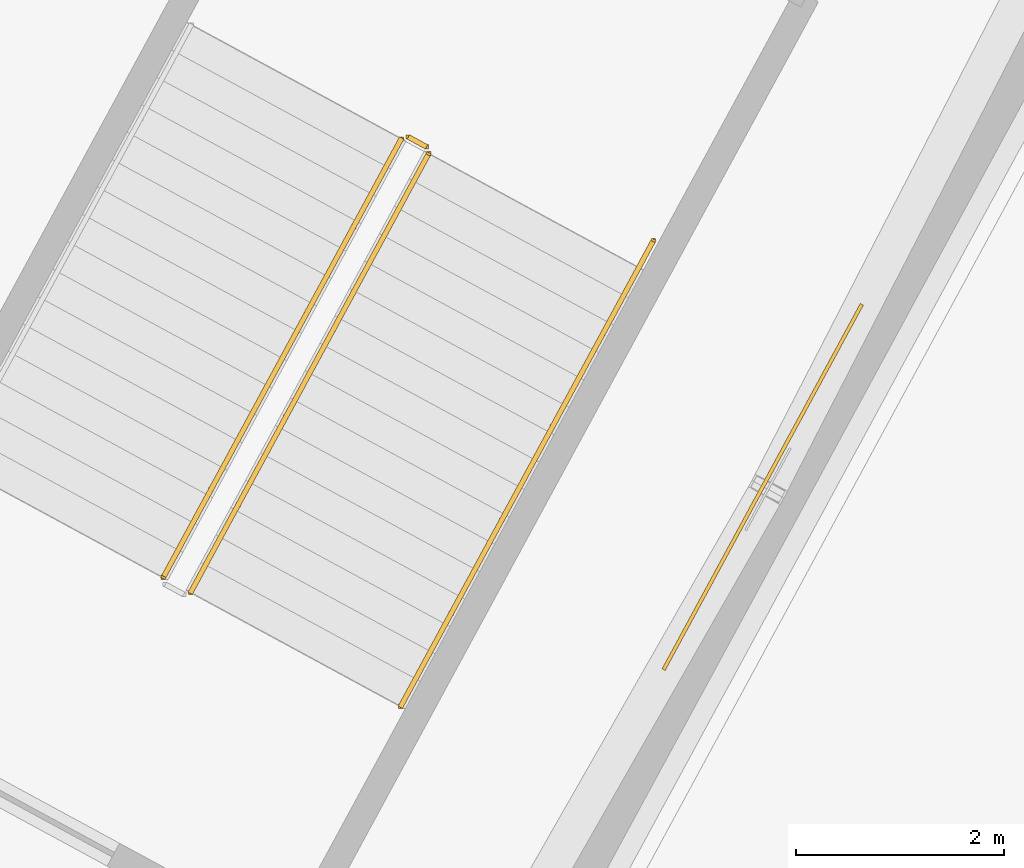
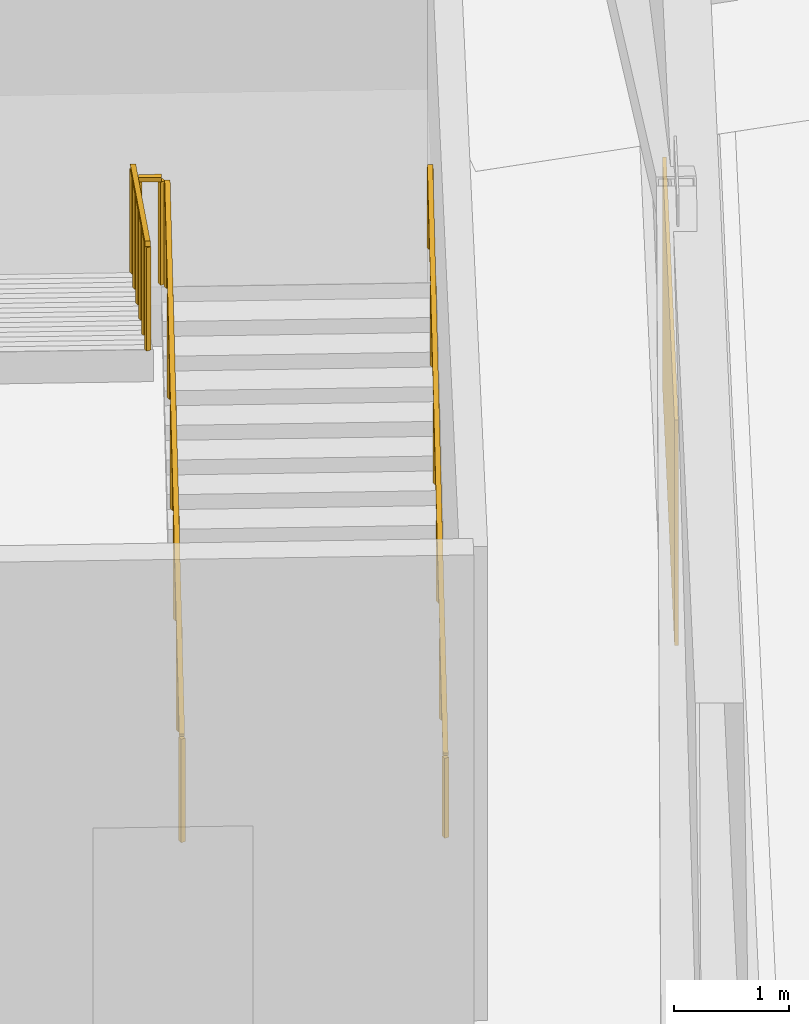
# One storey, part 65 of 74: 4 railings, 1 covering.
"""IFC4 building model written with IfcOpenShell, lengths in metres."""

from ifc_helpers import new_model, si_unit, direction, frame, origin, origin_2d, place, context, subcontext, project, spatial, rectangle, extrude, material, layer, layer_set, type_object, element, save


model = new_model("IFC4")

# Units and contexts
model_context = context("Model", 3, precision=1e-05, world=origin(), true_north=direction((0.0, 1.0)))
body_context = subcontext(model_context, "Body", "Model", "MODEL_VIEW")
ifc_project = project(units=[si_unit("LENGTHUNIT", "METRE"), si_unit("AREAUNIT", "SQUARE_METRE"), si_unit("VOLUMEUNIT", "CUBIC_METRE"), si_unit("PLANEANGLEUNIT", "RADIAN"), si_unit("MASSUNIT", "GRAM", prefix="KILO")], contexts=[model_context])

# Site, building, storey
site_placement = place(None, origin())
site = spatial("IfcSite", under=ifc_project, at=site_placement, CompositionType="ELEMENT")
building_placement = place(site_placement, origin())
building = spatial("IfcBuilding", under=site, at=building_placement, Name="Zlatoyarsky Gate Stadium", CompositionType="ELEMENT")
storey_placement = place(building_placement, frame((0.0, 0.0, -5.39990234375)))
storey = spatial("IfcBuildingStorey", under=building, at=storey_placement, Name="B1", CompositionType="ELEMENT", Elevation=-5.39990234375)

# Covering
ifc_material_1 = material(Name="Fire-retardant birch timber acoustic wall panel", Category="wood")
ifc_layer = layer(ifc_material_1, 0.034912109375)
ifc_layer_set = layer_set([ifc_layer], Name="Fire-retardant birch timber acoustic wall panel")
covering_type = type_object("IfcCoveringType", Name="FLUTED BIRCH ACOUSTIC WALL CLADDING 35", PredefinedType="CLADDING", material=ifc_layer_set)
covering_placement = place(storey_placement, frame((195.942138671875, 53.188232421875, 1.099853515625), z_axis=(0.0, 0.0, 1.0), x_axis=(0.476952507557, 0.878929067408, 0.0)))
element("IfcCovering", 1, at=covering_placement, inside=storey, type_object=covering_type, Name="B1 acoustic timber wall cladding 08", PredefinedType="CLADDING", context=body_context, shape_type="SweptSolid", body=[
    extrude(rectangle(XDim=4.0, YDim=0.034912109375, at=origin_2d()), origin(), (0.0, 0.0, 1.0), 2.39990234375),
])

# Railings
ifc_material_2 = material(Name="Powder-coated steel stair guardrail", Category="steel")
railing_type_1 = type_object("IfcRailingType", Name="PAINTED STEEL STAIR WELL GUARDRAIL 1150", PredefinedType="GUARDRAIL", material=ifc_material_2)
railing_1_placement = place(storey_placement, frame((190.437255859375, 52.175048828125, 0.15869140625)))
element("IfcRailing", 2, at=railing_1_placement, inside=storey, type_object=railing_type_1, Name="ST-12 B1 stair guard 1", PredefinedType="GUARDRAIL", context=body_context, shape_type="SweptSolid", body=[
    extrude(rectangle(XDim=0.048095703125, YDim=0.048095703125, at=origin_2d()), frame((0.0, 0.0, 1.1259765625), z_axis=(0.421466855594, 0.776809804983, 0.467901930448), x_axis=(-0.878962478599, 0.4768909322, 0.0)), (0.0, 0.0, 1.0), 5.43115234375),
    extrude(rectangle(XDim=0.0419921875, YDim=0.0419921875, at=origin_2d()), origin(), (0.0, 0.0, 1.0), 1.101806640625),
    extrude(rectangle(XDim=0.0419921875, YDim=0.0419921875, at=origin_2d()), frame((0.457763671875, 0.84375, 0.50830078125)), (0.0, 0.0, 1.0), 1.101806640625),
    extrude(rectangle(XDim=0.0419921875, YDim=0.0419921875, at=origin_2d()), frame((0.91552734375, 1.6875, 1.0166015625)), (0.0, 0.0, 1.0), 1.101806640625),
    extrude(rectangle(XDim=0.0419921875, YDim=0.0419921875, at=origin_2d()), frame((1.37353515625, 2.531494140625, 1.524658203125)), (0.0, 0.0, 1.0), 1.101806640625),
    extrude(rectangle(XDim=0.0419921875, YDim=0.0419921875, at=origin_2d()), frame((1.831298828125, 3.375244140625, 2.032958984375)), (0.0, 0.0, 1.0), 1.101806640625),
    extrude(rectangle(XDim=0.0419921875, YDim=0.0419921875, at=origin_2d()), frame((2.2890625, 4.218994140625, 2.541259765625)), (0.0, 0.0, 1.0), 1.101806640625),
])
railing_2_placement = place(storey_placement, frame((192.706298828125, 56.461669921875, 2.699951171875)))
element("IfcRailing", 3, at=railing_2_placement, inside=storey, type_object=railing_type_1, Name="ST-12 B1 stair guard 2", PredefinedType="GUARDRAIL", context=body_context, shape_type="SweptSolid", body=[
    extrude(rectangle(XDim=0.048095703125, YDim=0.048095703125, at=origin_2d()), frame((0.0, 0.0, 1.1259765625), z_axis=(-0.878780312785, 0.477226530971, 0.0), x_axis=(-0.477226530971, -0.878780312785, 0.0)), (0.0, 0.0, 1.0), 0.199951171875),
    extrude(rectangle(XDim=0.0419921875, YDim=0.0419921875, at=origin_2d()), origin(), (0.0, 0.0, 1.0), 1.101806640625),
    extrude(rectangle(XDim=0.0419921875, YDim=0.0419921875, at=origin_2d()), frame((-0.17578125, 0.095458984375, 0.0)), (0.0, 0.0, 1.0), 1.101806640625),
])
railing_3_placement = place(storey_placement, frame((192.462646484375, 56.537109375, 2.858642578125)))
element("IfcRailing", 4, at=railing_3_placement, inside=storey, type_object=railing_type_1, Name="ST-12 B1 stair guard 3", PredefinedType="GUARDRAIL", context=body_context, shape_type="SweptSolid", body=[
    extrude(rectangle(XDim=0.048095703125, YDim=0.048095703125, at=origin_2d()), frame((0.0, 0.0, 1.1259765625), z_axis=(-0.421466855594, -0.776809804983, 0.467901930448), x_axis=(0.878962478599, -0.4768909322, 0.0)), (0.0, 0.0, 1.0), 5.43115234375),
    extrude(rectangle(XDim=0.0419921875, YDim=0.0419921875, at=origin_2d()), origin(), (0.0, 0.0, 1.0), 1.101806640625),
    extrude(rectangle(XDim=0.0419921875, YDim=0.0419921875, at=origin_2d()), frame((-0.457763671875, -0.84375, 0.50830078125)), (0.0, 0.0, 1.0), 1.101806640625),
    extrude(rectangle(XDim=0.0419921875, YDim=0.0419921875, at=origin_2d()), frame((-0.91552734375, -1.6875, 1.0166015625)), (0.0, 0.0, 1.0), 1.101806640625),
    extrude(rectangle(XDim=0.0419921875, YDim=0.0419921875, at=origin_2d()), frame((-1.37353515625, -2.531494140625, 1.524658203125)), (0.0, 0.0, 1.0), 1.101806640625),
    extrude(rectangle(XDim=0.0419921875, YDim=0.0419921875, at=origin_2d()), frame((-1.831298828125, -3.375244140625, 2.032958984375)), (0.0, 0.0, 1.0), 1.101806640625),
    extrude(rectangle(XDim=0.0419921875, YDim=0.0419921875, at=origin_2d()), frame((-2.2890625, -4.218994140625, 2.541259765625)), (0.0, 0.0, 1.0), 1.101806640625),
])
ifc_material_3 = material(Name="Brushed stainless steel 316 handrail", Category="steel")
railing_type_2 = type_object("IfcRailingType", Name="STAINLESS STEEL TUBULAR HANDRAIL 900", PredefinedType="HANDRAIL", material=ifc_material_3)
railing_4_placement = place(storey_placement, frame((192.458984375, 51.078125, 0.162841796875)))
element("IfcRailing", 5, at=railing_4_placement, inside=storey, type_object=railing_type_2, Name="ST-12 B1 stair handrail 1", PredefinedType="HANDRAIL", context=body_context, shape_type="SweptSolid", body=[
    extrude(rectangle(XDim=0.048095703125, YDim=0.048095703125, at=origin_2d()), frame((0.0, 0.0, 0.8759765625), z_axis=(0.421472414376, 0.776817406179, 0.467884303411), x_axis=(-0.878961798155, 0.476892186331, 0.0)), (0.0, 0.0, 1.0), 5.7705078125),
    extrude(rectangle(XDim=0.0419921875, YDim=0.0419921875, at=origin_2d()), origin(), (0.0, 0.0, 1.0), 0.851806640625),
    extrude(rectangle(XDim=0.0419921875, YDim=0.0419921875, at=origin_2d()), frame((0.486328125, 0.896484375, 0.5400390625)), (0.0, 0.0, 1.0), 0.851806640625),
    extrude(rectangle(XDim=0.0419921875, YDim=0.0419921875, at=origin_2d()), frame((0.972900390625, 1.79296875, 1.080078125)), (0.0, 0.0, 1.0), 0.851806640625),
    extrude(rectangle(XDim=0.0419921875, YDim=0.0419921875, at=origin_2d()), frame((1.459228515625, 2.689697265625, 1.619873046875)), (0.0, 0.0, 1.0), 0.851806640625),
    extrude(rectangle(XDim=0.0419921875, YDim=0.0419921875, at=origin_2d()), frame((1.94580078125, 3.586181640625, 2.159912109375)), (0.0, 0.0, 1.0), 0.851806640625),
    extrude(rectangle(XDim=0.0419921875, YDim=0.0419921875, at=origin_2d()), frame((2.43212890625, 4.482666015625, 2.699951171875)), (0.0, 0.0, 1.0), 0.851806640625),
])

save(model, "model.ifc")
